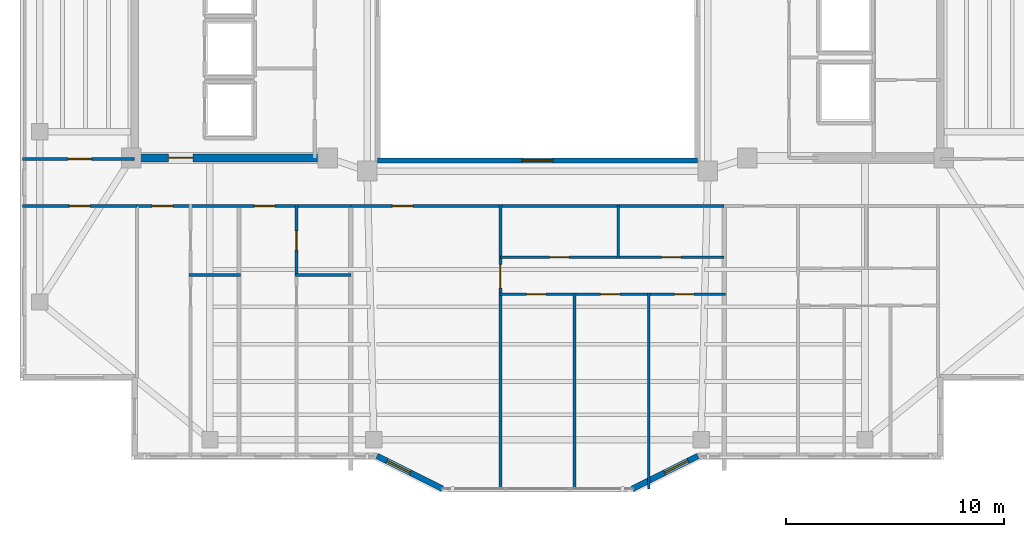
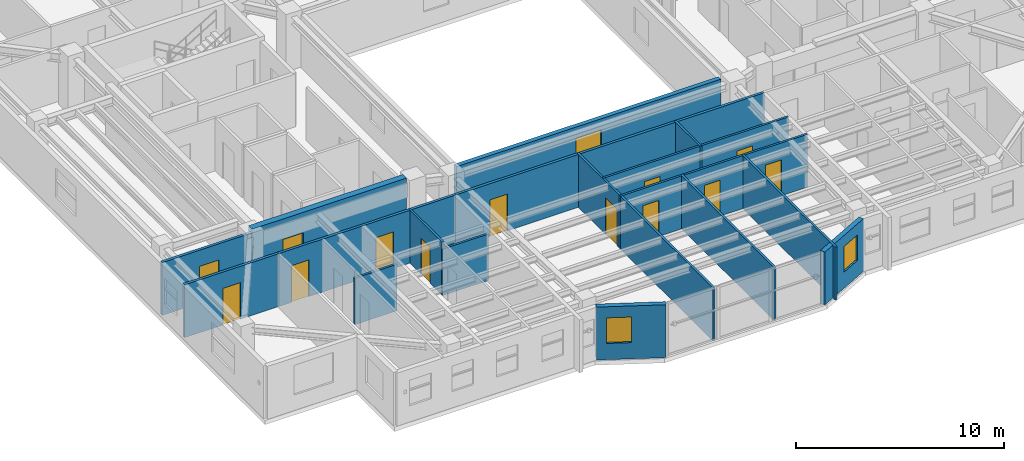
# One storey, part 6 of 14: 18 walls, 13 doors, 3 windows, 16 openings.
"""IFC4 building model written with IfcOpenShell, lengths in metres."""

from ifc_helpers import new_model, si_unit, direction, frame, frame_2d, origin, place, context, subcontext, project, spatial, rectangle, extrude, material, layer, layer_set, type_object, element, fill, save


model = new_model("IFC4")

# Units and contexts
model_context = context("Model", 3, precision=1e-05, world=origin(), true_north=direction((0.0, 1.0)))
body_context = subcontext(model_context, "Body", "Model", "MODEL_VIEW")
ifc_project = project(units=[si_unit("LENGTHUNIT", "METRE"), si_unit("AREAUNIT", "SQUARE_METRE"), si_unit("VOLUMEUNIT", "CUBIC_METRE"), si_unit("PLANEANGLEUNIT", "RADIAN"), si_unit("MASSUNIT", "GRAM", prefix="KILO")], contexts=[model_context])

# Site, building, storey
site_placement = place(None, origin())
site = spatial("IfcSite", under=ifc_project, at=site_placement, CompositionType="ELEMENT")
building_placement = place(site_placement, origin())
building = spatial("IfcBuilding", under=site, at=building_placement, Name="Tarnavaz Court Tower", CompositionType="ELEMENT")
storey_placement = place(building_placement, frame((0.0, 0.0, 190.25)))
storey = spatial("IfcBuildingStorey", under=building, at=storey_placement, Name="L51", CompositionType="ELEMENT", Elevation=190.25)

# Wall, opening, door
ifc_material_1 = material(Name="Concrete C50/60", Category="concrete")
ifc_layer_1 = layer(ifc_material_1, 0.35009765625)
ifc_layer_set_1 = layer_set([ifc_layer_1], Name="Concrete C50/60")
wall_type_1 = type_object("IfcWallType", Name="WL-CORE-350-C50", PredefinedType="SHEAR", material=ifc_layer_set_1)
wall_1_placement = place(storey_placement, frame((-18.625, -7.199951171875, 0.0), z_axis=(0.0, 0.0, 1.0), x_axis=(1.0, 0.0, 0.0)))
wall_1 = element("IfcWall", 1, at=wall_1_placement, inside=storey, type_object=wall_type_1, Name="L51 West Core South Shear Wall 046", PredefinedType="SHEAR", context=body_context, shape_type="SweptSolid", body=[
    extrude(rectangle(XDim=8.550048828125, YDim=0.35009765625, at=frame_2d((4.27490234375, 0.0))), origin(), (0.0, 0.0, 1.0), 3.35009765625),
])
opening_1_placement = place(wall_1_placement, frame((1.72509765625, 0.0, 0.0)))
opening_1 = element("IfcOpeningElement", 2, at=opening_1_placement, cuts=wall_1, Name="Opening D04", PredefinedType="OPENING", context=body_context, shape_type="SweptSolid", body=[
    extrude(rectangle(XDim=1.1201171875, YDim=2.14990234375, at=frame_2d((0.56005859375, 1.074951171875))), frame((0.0, 0.18505859375, 0.0), z_axis=(0.0, -1.0, 0.0), x_axis=(1.0, 0.0, 0.0)), (0.0, 0.0, 1.0), 0.3701171875),
])
ifc_material_2 = material(Name="Fire-Rated Hardwood Timber Core", Category="wood")
door_type_1 = type_object("IfcDoorType", Name="DR-FD60-1100", OperationType="NOTDEFINED", PredefinedType="DOOR", material=ifc_material_2)
door_1_placement = place(opening_1_placement, origin())
door_1 = element("IfcDoor", 3, at=door_1_placement, inside=storey, type_object=door_type_1, Name="L51 West High-Rise Lift Lobby Door", OperationType="SINGLE_SWING_LEFT", OverallHeight=2.14990234375, OverallWidth=1.1201171875, PredefinedType="DOOR", context=body_context, shape_type="SweptSolid", body=[
    extrude(rectangle(XDim=1.1201171875, YDim=2.14990234375, at=frame_2d((0.56005859375, 1.074951171875))), frame((0.0, 0.02490234375, 0.0), z_axis=(0.0, -1.0, 0.0), x_axis=(1.0, 0.0, 0.0)), (0.0, 0.0, 1.0), 0.050048828125),
])
fill(opening_1, door_1)

# Wall, opening, window
ifc_material_3 = material(Name="Precast Concrete C40/50", Category="concrete")
ifc_layer_2 = layer(ifc_material_3, 0.260009765625)
ifc_layer_set_2 = layer_set([ifc_layer_2], Name="Precast Concrete C40/50")
wall_type_2 = type_object("IfcWallType", Name="WL-EXT-260", PredefinedType="SOLIDWALL", material=ifc_layer_set_2)
wall_2_placement = place(storey_placement, frame((7.35009765625, -20.85009765625, 0.0), z_axis=(0.0, 0.0, 1.0), x_axis=(-0.894427191, -0.4472135955, 0.0)))
wall_2 = element("IfcWall", 4, at=wall_2_placement, inside=storey, type_object=wall_type_2, Name="L51 Exterior Terracotta Facade Wall 16", PredefinedType="SOLIDWALL", context=body_context, shape_type="SweptSolid", body=[
    extrude(rectangle(XDim=3.35400390625, YDim=0.260009765625, at=frame_2d((1.677001953125, 0.0))), origin(), (0.0, 0.0, 1.0), 3.10009765625),
])
opening_2_placement = place(wall_2_placement, frame((0.501220703125, 0.0, 0.949951171875)))
opening_2 = element("IfcOpeningElement", 5, at=opening_2_placement, cuts=wall_2, Name="Opening W05", PredefinedType="OPENING", context=body_context, shape_type="SweptSolid", body=[
    extrude(rectangle(XDim=1.199951171875, YDim=1.5, at=frame_2d((0.60009765625, 0.75))), frame((0.0, 0.139892578125, 0.0), z_axis=(0.0, -1.0, 0.0), x_axis=(1.0, 0.0, 0.0)), (0.0, 0.0, 1.0), 0.280029296875),
])
ifc_material_4 = material(Name="Double-Glazed Solar Low-E Glass", Category="glass")
window_type_1 = type_object("IfcWindowType", Name="WN-APT-1200", PartitioningType="SINGLE_PANEL", PredefinedType="WINDOW", material=ifc_material_4)
window_1_placement = place(opening_2_placement, origin())
window_1 = element("IfcWindow", 6, at=window_1_placement, inside=storey, type_object=window_type_1, Name="L51 Flat 04 Bedroom 3 Window", OverallHeight=1.5, OverallWidth=1.199951171875, PartitioningType="SINGLE_PANEL", PredefinedType="WINDOW", context=body_context, shape_type="SweptSolid", body=[
    extrude(rectangle(XDim=1.199951171875, YDim=1.5, at=frame_2d((0.60009765625, 0.75))), frame((0.0, 0.030029296875, 0.0), z_axis=(0.0, -1.0, 0.0), x_axis=(1.0, 0.0, 0.0)), (0.0, 0.0, 1.0), 0.06005859375),
])
fill(opening_2, window_1)

wall_3_placement = place(storey_placement, frame((-4.35009765625, -22.35009765625, 0.0), z_axis=(0.0, 0.0, 1.0), x_axis=(-0.894427191, 0.4472135955, 0.0)))
wall_3 = element("IfcWall", 7, at=wall_3_placement, inside=storey, type_object=wall_type_2, Name="L51 Exterior Terracotta Facade Wall 18", PredefinedType="SOLIDWALL", context=body_context, shape_type="SweptSolid", body=[
    extrude(rectangle(XDim=3.35400390625, YDim=0.260009765625, at=frame_2d((1.677001953125, 0.0))), origin(), (0.0, 0.0, 1.0), 3.10009765625),
])
opening_3_placement = place(wall_3_placement, frame((1.65283203125, 0.0, 0.949951171875)))
opening_3 = element("IfcOpeningElement", 8, at=opening_3_placement, cuts=wall_3, Name="Opening W05", PredefinedType="OPENING", context=body_context, shape_type="SweptSolid", body=[
    extrude(rectangle(XDim=1.199951171875, YDim=1.5, at=frame_2d((0.60009765625, 0.75))), frame((0.0, 0.139892578125, 0.0), z_axis=(0.0, -1.0, 0.0), x_axis=(1.0, 0.0, 0.0)), (0.0, 0.0, 1.0), 0.280029296875),
])
window_2_placement = place(opening_3_placement, origin())
window_2 = element("IfcWindow", 9, at=window_2_placement, inside=storey, type_object=window_type_1, Name="L51 Flat 04 Living and Dining Room Window", OverallHeight=1.5, OverallWidth=1.199951171875, PartitioningType="SINGLE_PANEL", PredefinedType="WINDOW", context=body_context, shape_type="SweptSolid", body=[
    extrude(rectangle(XDim=1.199951171875, YDim=1.5, at=frame_2d((0.60009765625, 0.75))), frame((0.0, 0.030029296875, 0.0), z_axis=(0.0, -1.0, 0.0), x_axis=(1.0, 0.0, 0.0)), (0.0, 0.0, 1.0), 0.06005859375),
])
fill(opening_3, window_2)

# Wall, openings, doors
ifc_material_5 = material(Name="Gypsum Fire-Board on Acoustic Metal Stud", Category="masonry")
ifc_layer_3 = layer(ifc_material_5, 0.14990234375)
ifc_layer_set_3 = layer_set([ifc_layer_3], Name="Gypsum Fire-Board on Acoustic Metal Stud")
wall_type_3 = type_object("IfcWallType", Name="WL-FIRE-150", PredefinedType="PARTITIONING", material=ifc_layer_set_3)
wall_4_placement = place(storey_placement, frame((-18.35009765625, -9.39990234375, 0.0), z_axis=(0.0, 0.0, 1.0), x_axis=(1.0, 0.0, 0.0)))
wall_4 = element("IfcWall", 10, at=wall_4_placement, inside=storey, type_object=wall_type_3, Name="L51 SW Lobby Wall 062", PredefinedType="PARTITIONING", context=body_context, shape_type="SweptSolid", body=[
    extrude(rectangle(XDim=9.800048828125, YDim=0.14990234375, at=frame_2d((4.89990234375, 0.0))), origin(), (0.0, 0.0, 1.0), 3.10009765625),
])
opening_4_placement = place(wall_4_placement, frame((0.699951171875, 0.0, 0.0)))
opening_4 = element("IfcOpeningElement", 11, at=opening_4_placement, cuts=wall_4, Name="Opening D06", PredefinedType="OPENING", context=body_context, shape_type="SweptSolid", body=[
    extrude(rectangle(XDim=0.9599609375, YDim=2.14990234375, at=frame_2d((0.47998046875, 1.074951171875))), frame((0.0, 0.0849609375, 0.0), z_axis=(0.0, -1.0, 0.0), x_axis=(1.0, 0.0, 0.0)), (0.0, 0.0, 1.0), 0.169921875),
])
opening_5_placement = place(wall_4_placement, frame((5.3798828125, 0.0, 0.0)))
opening_5 = element("IfcOpeningElement", 12, at=opening_5_placement, cuts=wall_4, Name="Opening D06", PredefinedType="OPENING", context=body_context, shape_type="SweptSolid", body=[
    extrude(rectangle(XDim=0.9599609375, YDim=2.14990234375, at=frame_2d((0.47998046875, 1.074951171875))), frame((0.0, 0.0849609375, 0.0), z_axis=(0.0, -1.0, 0.0), x_axis=(1.0, 0.0, 0.0)), (0.0, 0.0, 1.0), 0.169921875),
])
door_type_2 = type_object("IfcDoorType", Name="DR-FD60-950", OperationType="NOTDEFINED", PredefinedType="DOOR", material=ifc_material_2)
door_2_placement = place(opening_4_placement, origin())
door_2 = element("IfcDoor", 13, at=door_2_placement, inside=storey, type_object=door_type_2, Name="L51 Flat 01 Entrance Door", OperationType="SINGLE_SWING_RIGHT", OverallHeight=2.14990234375, OverallWidth=0.9599609375, PredefinedType="DOOR", context=body_context, shape_type="SweptSolid", body=[
    extrude(rectangle(XDim=0.9599609375, YDim=2.14990234375, at=frame_2d((0.47998046875, 1.074951171875))), frame((0.0, 0.02490234375, 0.0), z_axis=(0.0, -1.0, 0.0), x_axis=(1.0, 0.0, 0.0)), (0.0, 0.0, 1.0), 0.050048828125),
])
fill(opening_4, door_2)
door_3_placement = place(opening_5_placement, origin())
door_3 = element("IfcDoor", 14, at=door_3_placement, inside=storey, type_object=door_type_2, Name="L51 Flat 02 Entrance Door", OperationType="SINGLE_SWING_LEFT", OverallHeight=2.14990234375, OverallWidth=0.9599609375, PredefinedType="DOOR", context=body_context, shape_type="SweptSolid", body=[
    extrude(rectangle(XDim=0.9599609375, YDim=2.14990234375, at=frame_2d((0.47998046875, 1.074951171875))), frame((0.0, 0.02490234375, 0.0), z_axis=(0.0, -1.0, 0.0), x_axis=(1.0, 0.0, 0.0)), (0.0, 0.0, 1.0), 0.050048828125),
])
fill(opening_5, door_3)

# Wall, opening, door
wall_5_placement = place(storey_placement, frame((-8.550048828125, -9.39990234375, 0.0), z_axis=(0.0, 0.0, 1.0), x_axis=(1.0, 0.0, 0.0)))
wall_5 = element("IfcWall", 15, at=wall_5_placement, inside=storey, type_object=wall_type_3, Name="L51 Interior Partition 087", PredefinedType="PARTITIONING", context=body_context, shape_type="SweptSolid", body=[
    extrude(rectangle(XDim=17.10009765625, YDim=0.14990234375, at=frame_2d((8.550048828125, 0.0))), origin(), (0.0, 0.0, 1.0), 3.10009765625),
])
opening_6_placement = place(wall_5_placement, frame((1.89990234375, 0.0, 0.0)))
opening_6 = element("IfcOpeningElement", 16, at=opening_6_placement, cuts=wall_5, Name="Opening D06", PredefinedType="OPENING", context=body_context, shape_type="SweptSolid", body=[
    extrude(rectangle(XDim=0.9599609375, YDim=2.14990234375, at=frame_2d((0.47998046875, 1.074951171875))), frame((0.0, 0.0849609375, 0.0), z_axis=(0.0, -1.0, 0.0), x_axis=(1.0, 0.0, 0.0)), (0.0, 0.0, 1.0), 0.169921875),
])
door_4_placement = place(opening_6_placement, origin())
door_4 = element("IfcDoor", 17, at=door_4_placement, inside=storey, type_object=door_type_2, Name="L51 Flat 04 Entrance Door", OperationType="SINGLE_SWING_LEFT", OverallHeight=2.14990234375, OverallWidth=0.9599609375, PredefinedType="DOOR", context=body_context, shape_type="SweptSolid", body=[
    extrude(rectangle(XDim=0.9599609375, YDim=2.14990234375, at=frame_2d((0.47998046875, 1.074951171875))), frame((0.0, 0.02490234375, 0.0), z_axis=(0.0, -1.0, 0.0), x_axis=(1.0, 0.0, 0.0)), (0.0, 0.0, 1.0), 0.050048828125),
])
fill(opening_6, door_4)

wall_6_placement = place(storey_placement, frame((-23.580078125, -7.25, 0.0), z_axis=(0.0, 0.0, 1.0), x_axis=(1.0, 0.0, 0.0)))
wall_6 = element("IfcWall", 18, at=wall_6_placement, inside=storey, type_object=wall_type_3, Name="L51 Interior Partition 095", PredefinedType="PARTITIONING", context=body_context, shape_type="SweptSolid", body=[
    extrude(rectangle(XDim=5.130126953125, YDim=0.14990234375, at=frame_2d((2.56494140625, 0.0))), origin(), (0.0, 0.0, 1.0), 3.10009765625),
])
opening_7_placement = place(wall_6_placement, frame((2.080078125, 0.0, 0.0)))
opening_7 = element("IfcOpeningElement", 19, at=opening_7_placement, cuts=wall_6, Name="Opening D12", PredefinedType="OPENING", context=body_context, shape_type="SweptSolid", body=[
    extrude(rectangle(XDim=1.080078125, YDim=2.14990234375, at=frame_2d((0.5400390625, 1.074951171875))), frame((0.0, 0.0849609375, 0.0), z_axis=(0.0, -1.0, 0.0), x_axis=(1.0, 0.0, 0.0)), (0.0, 0.0, 1.0), 0.169921875),
])
ifc_material_6 = material(Name="Engineered Oak Timber", Category="wood")
door_type_3 = type_object("IfcDoorType", Name="DR-INT-1100", OperationType="NOTDEFINED", PredefinedType="DOOR", material=ifc_material_6)
door_5_placement = place(opening_7_placement, origin())
door_5 = element("IfcDoor", 20, at=door_5_placement, inside=storey, type_object=door_type_3, Name="L51 West Meeting Lounge Door", OperationType="SINGLE_SWING_RIGHT", OverallHeight=2.14990234375, OverallWidth=1.080078125, PredefinedType="DOOR", context=body_context, shape_type="SweptSolid", body=[
    extrude(rectangle(XDim=1.080078125, YDim=2.14990234375, at=frame_2d((0.5400390625, 1.074951171875))), frame((0.0, 0.02490234375, 0.0), z_axis=(0.0, -1.0, 0.0), x_axis=(1.0, 0.0, 0.0)), (0.0, 0.0, 1.0), 0.050048828125),
])
fill(opening_7, door_5)

wall_7_placement = place(storey_placement, frame((-23.580078125, -9.39990234375, 0.0), z_axis=(0.0, 0.0, 1.0), x_axis=(1.0, 0.0, 0.0)))
wall_7 = element("IfcWall", 21, at=wall_7_placement, inside=storey, type_object=wall_type_3, Name="L51 Interior Partition 105", PredefinedType="PARTITIONING", context=body_context, shape_type="SweptSolid", body=[
    extrude(rectangle(XDim=5.22998046875, YDim=0.14990234375, at=frame_2d((2.614990234375, 0.0))), origin(), (0.0, 0.0, 1.0), 3.10009765625),
])
opening_8_placement = place(wall_7_placement, frame((2.139892578125, 0.0, 0.0)))
opening_8 = element("IfcOpeningElement", 22, at=opening_8_placement, cuts=wall_7, Name="Opening D13", PredefinedType="OPENING", context=body_context, shape_type="SweptSolid", body=[
    extrude(rectangle(XDim=0.949951171875, YDim=2.14990234375, at=frame_2d((0.47509765625, 1.074951171875))), frame((0.0, 0.0849609375, 0.0), z_axis=(0.0, -1.0, 0.0), x_axis=(1.0, 0.0, 0.0)), (0.0, 0.0, 1.0), 0.169921875),
])
door_type_4 = type_object("IfcDoorType", Name="DR-INT-950", OperationType="NOTDEFINED", PredefinedType="DOOR", material=ifc_material_6)
door_6_placement = place(opening_8_placement, origin())
door_6 = element("IfcDoor", 23, at=door_6_placement, inside=storey, type_object=door_type_4, Name="L51 SW Reading Room Door", OperationType="SINGLE_SWING_RIGHT", OverallHeight=2.14990234375, OverallWidth=0.949951171875, PredefinedType="DOOR", context=body_context, shape_type="SweptSolid", body=[
    extrude(rectangle(XDim=0.949951171875, YDim=2.14990234375, at=frame_2d((0.47509765625, 1.074951171875))), frame((0.0, 0.02490234375, 0.0), z_axis=(0.0, -1.0, 0.0), x_axis=(1.0, 0.0, 0.0)), (0.0, 0.0, 1.0), 0.050048828125),
])
fill(opening_8, door_6)

# Wall
ifc_material_7 = material(Name="Moisture-Resistant Gypsum Board Partition", Category="masonry")
ifc_layer_4 = layer(ifc_material_7, 0.1201171875)
ifc_layer_set_4 = layer_set([ifc_layer_4], Name="Moisture-Resistant Gypsum Board Partition")
wall_type_4 = type_object("IfcWallType", Name="WL-PART-120", PredefinedType="PARTITIONING", material=ifc_layer_set_4)
wall_8_placement = place(storey_placement, frame((-15.949951171875, -12.56005859375, 0.0), z_axis=(0.0, 0.0, 1.0), x_axis=(1.0, 0.0, 0.0)))
element("IfcWall", 24, at=wall_8_placement, inside=storey, type_object=wall_type_4, Name="L51 Interior Partition 074", PredefinedType="PARTITIONING", context=body_context, shape_type="SweptSolid", body=[
    extrude(rectangle(XDim=2.33984375, YDim=0.1201171875, at=frame_2d((1.169921875, 0.0))), origin(), (0.0, 0.0, 1.0), 2.72509765625),
])

# Wall, opening, door
wall_9_placement = place(storey_placement, frame((-11.035888671875, -12.56005859375, 0.0), z_axis=(0.0, 0.0, 1.0), x_axis=(0.0, 1.0, 0.0)))
wall_9 = element("IfcWall", 25, at=wall_9_placement, inside=storey, type_object=wall_type_4, Name="L51 Interior Partition 076", PredefinedType="PARTITIONING", context=body_context, shape_type="SweptSolid", body=[
    extrude(rectangle(XDim=3.219970703125, YDim=0.1201171875, at=frame_2d((1.60986328125, 0.0))), origin(), (0.0, 0.0, 1.0), 3.10009765625),
])
opening_9_placement = place(wall_9_placement, frame((1.139892578125, 0.0, 0.0)))
opening_9 = element("IfcOpeningElement", 26, at=opening_9_placement, cuts=wall_9, Name="Opening D14", PredefinedType="OPENING", context=body_context, shape_type="SweptSolid", body=[
    extrude(rectangle(XDim=0.8798828125, YDim=2.10009765625, at=frame_2d((0.43994140625, 1.050048828125))), frame((0.0, 0.070068359375, 0.0), z_axis=(0.0, -1.0, 0.0), x_axis=(1.0, 0.0, 0.0)), (0.0, 0.0, 1.0), 0.14013671875),
])
door_type_5 = type_object("IfcDoorType", Name="DR-INT-900", OperationType="NOTDEFINED", PredefinedType="DOOR", material=ifc_material_6)
door_7_placement = place(opening_9_placement, origin())
door_7 = element("IfcDoor", 27, at=door_7_placement, inside=storey, type_object=door_type_5, Name="L51 Flat 02 Bathroom Door", OperationType="SINGLE_SWING_LEFT", OverallHeight=2.10009765625, OverallWidth=0.8798828125, PredefinedType="DOOR", context=body_context, shape_type="SweptSolid", body=[
    extrude(rectangle(XDim=0.8798828125, YDim=2.10009765625, at=frame_2d((0.43994140625, 1.050048828125))), frame((0.0, 0.02490234375, 0.0), z_axis=(0.0, -1.0, 0.0), x_axis=(1.0, 0.0, 0.0)), (0.0, 0.0, 1.0), 0.050048828125),
])
fill(opening_9, door_7)

# Wall
wall_10_placement = place(storey_placement, frame((-11.095947265625, -12.56005859375, 0.0), z_axis=(0.0, 0.0, 1.0), x_axis=(1.0, 0.0, 0.0)))
element("IfcWall", 28, at=wall_10_placement, inside=storey, type_object=wall_type_4, Name="L51 Interior Partition 077", PredefinedType="PARTITIONING", context=body_context, shape_type="SweptSolid", body=[
    extrude(rectangle(XDim=2.555908203125, YDim=0.1201171875, at=frame_2d((1.27783203125, 0.0))), origin(), (0.0, 0.0, 1.0), 2.72509765625),
])

# Wall, opening, door
wall_11_placement = place(storey_placement, frame((-1.696044921875, -22.3798828125, 0.0), z_axis=(0.0, 0.0, 1.0), x_axis=(0.0, 1.0, 0.0)))
wall_11 = element("IfcWall", 29, at=wall_11_placement, inside=storey, type_object=wall_type_4, Name="L51 Interior Partition 088", PredefinedType="PARTITIONING", context=body_context, shape_type="SweptSolid", body=[
    extrude(rectangle(XDim=13.039794921875, YDim=0.1201171875, at=frame_2d((6.52001953125, 0.0))), origin(), (0.0, 0.0, 1.0), 3.10009765625),
])
opening_10_placement = place(wall_11_placement, frame((9.215087890625, 0.0, 0.0)))
opening_10 = element("IfcOpeningElement", 30, at=opening_10_placement, cuts=wall_11, Name="Opening D12", PredefinedType="OPENING", context=body_context, shape_type="SweptSolid", body=[
    extrude(rectangle(XDim=1.080078125, YDim=2.14990234375, at=frame_2d((0.5400390625, 1.074951171875))), frame((0.0, 0.070068359375, 0.0), z_axis=(0.0, -1.0, 0.0), x_axis=(1.0, 0.0, 0.0)), (0.0, 0.0, 1.0), 0.14013671875),
])
door_8_placement = place(opening_10_placement, origin())
door_8 = element("IfcDoor", 31, at=door_8_placement, inside=storey, type_object=door_type_3, Name="L51 Flat 04 Foyer Door", OperationType="SINGLE_SWING_RIGHT", OverallHeight=2.14990234375, OverallWidth=1.080078125, PredefinedType="DOOR", context=body_context, shape_type="SweptSolid", body=[
    extrude(rectangle(XDim=1.080078125, YDim=2.14990234375, at=frame_2d((0.5400390625, 1.074951171875))), frame((0.0, 0.02490234375, 0.0), z_axis=(0.0, -1.0, 0.0), x_axis=(1.0, 0.0, 0.0)), (0.0, 0.0, 1.0), 0.050048828125),
])
fill(opening_10, door_8)

wall_12_placement = place(storey_placement, frame((-1.696044921875, -11.739990234375, 0.0), z_axis=(0.0, 0.0, 1.0), x_axis=(1.0, 0.0, 0.0)))
wall_12 = element("IfcWall", 32, at=wall_12_placement, inside=storey, type_object=wall_type_4, Name="L51 Interior Partition 089", PredefinedType="PARTITIONING", context=body_context, shape_type="SweptSolid", body=[
    extrude(rectangle(XDim=5.39306640625, YDim=0.1201171875, at=frame_2d((2.696533203125, 0.0))), origin(), (0.0, 0.0, 1.0), 3.10009765625),
])
opening_11_placement = place(wall_12_placement, frame((2.256103515625, 0.0, 0.0)))
opening_11 = element("IfcOpeningElement", 33, at=opening_11_placement, cuts=wall_12, Name="Opening D14", PredefinedType="OPENING", context=body_context, shape_type="SweptSolid", body=[
    extrude(rectangle(XDim=0.8798828125, YDim=2.10009765625, at=frame_2d((0.43994140625, 1.050048828125))), frame((0.0, 0.070068359375, 0.0), z_axis=(0.0, -1.0, 0.0), x_axis=(1.0, 0.0, 0.0)), (0.0, 0.0, 1.0), 0.14013671875),
])
door_9_placement = place(opening_11_placement, origin())
door_9 = element("IfcDoor", 34, at=door_9_placement, inside=storey, type_object=door_type_5, Name="L51 Flat 04 Kitchen Door", OperationType="SINGLE_SWING_LEFT", OverallHeight=2.10009765625, OverallWidth=0.8798828125, PredefinedType="DOOR", context=body_context, shape_type="SweptSolid", body=[
    extrude(rectangle(XDim=0.8798828125, YDim=2.10009765625, at=frame_2d((0.43994140625, 1.050048828125))), frame((0.0, 0.02490234375, 0.0), z_axis=(0.0, -1.0, 0.0), x_axis=(1.0, 0.0, 0.0)), (0.0, 0.0, 1.0), 0.050048828125),
])
fill(opening_11, door_9)

wall_13_placement = place(storey_placement, frame((3.697021484375, -11.739990234375, 0.0), z_axis=(0.0, 0.0, 1.0), x_axis=(1.0, 0.0, 0.0)))
wall_13 = element("IfcWall", 35, at=wall_13_placement, inside=storey, type_object=wall_type_4, Name="L51 Interior Partition 090", PredefinedType="PARTITIONING", context=body_context, shape_type="SweptSolid", body=[
    extrude(rectangle(XDim=4.85302734375, YDim=0.1201171875, at=frame_2d((2.426513671875, 0.0))), origin(), (0.0, 0.0, 1.0), 3.10009765625),
])
opening_12_placement = place(wall_13_placement, frame((1.987060546875, 0.0, 0.0)))
opening_12 = element("IfcOpeningElement", 36, at=opening_12_placement, cuts=wall_13, Name="Opening D14", PredefinedType="OPENING", context=body_context, shape_type="SweptSolid", body=[
    extrude(rectangle(XDim=0.8798828125, YDim=2.10009765625, at=frame_2d((0.43994140625, 1.050048828125))), frame((0.0, 0.070068359375, 0.0), z_axis=(0.0, -1.0, 0.0), x_axis=(1.0, 0.0, 0.0)), (0.0, 0.0, 1.0), 0.14013671875),
])
door_10_placement = place(opening_12_placement, origin())
door_10 = element("IfcDoor", 37, at=door_10_placement, inside=storey, type_object=door_type_5, Name="L51 Flat 04 Bathroom Door", OperationType="SINGLE_SWING_RIGHT", OverallHeight=2.10009765625, OverallWidth=0.8798828125, PredefinedType="DOOR", context=body_context, shape_type="SweptSolid", body=[
    extrude(rectangle(XDim=0.8798828125, YDim=2.10009765625, at=frame_2d((0.43994140625, 1.050048828125))), frame((0.0, 0.02490234375, 0.0), z_axis=(0.0, -1.0, 0.0), x_axis=(1.0, 0.0, 0.0)), (0.0, 0.0, 1.0), 0.050048828125),
])
fill(opening_12, door_10)

# Wall, openings, doors
wall_14_placement = place(storey_placement, frame((-1.756103515625, -13.449951171875, 0.0), z_axis=(0.0, 0.0, 1.0), x_axis=(1.0, 0.0, 0.0)))
wall_14 = element("IfcWall", 38, at=wall_14_placement, inside=storey, type_object=wall_type_4, Name="L51 Interior Partition 091", PredefinedType="PARTITIONING", context=body_context, shape_type="SweptSolid", body=[
    extrude(rectangle(XDim=10.3662109375, YDim=0.1201171875, at=frame_2d((5.18310546875, 0.0))), origin(), (0.0, 0.0, 1.0), 3.10009765625),
])
opening_13_placement = place(wall_14_placement, frame((1.256103515625, 0.0, 0.0)))
opening_13 = element("IfcOpeningElement", 39, at=opening_13_placement, cuts=wall_14, Name="Opening D14", PredefinedType="OPENING", context=body_context, shape_type="SweptSolid", body=[
    extrude(rectangle(XDim=0.8798828125, YDim=2.10009765625, at=frame_2d((0.43994140625, 1.050048828125))), frame((0.0, 0.070068359375, 0.0), z_axis=(0.0, -1.0, 0.0), x_axis=(1.0, 0.0, 0.0)), (0.0, 0.0, 1.0), 0.14013671875),
])
opening_14_placement = place(wall_14_placement, frame((4.64794921875, 0.0, 0.0)))
opening_14 = element("IfcOpeningElement", 40, at=opening_14_placement, cuts=wall_14, Name="Opening D14", PredefinedType="OPENING", context=body_context, shape_type="SweptSolid", body=[
    extrude(rectangle(XDim=0.8798828125, YDim=2.10009765625, at=frame_2d((0.43994140625, 1.050048828125))), frame((0.0, 0.070068359375, 0.0), z_axis=(0.0, -1.0, 0.0), x_axis=(1.0, 0.0, 0.0)), (0.0, 0.0, 1.0), 0.14013671875),
])
opening_15_placement = place(wall_14_placement, frame((8.0400390625, 0.0, 0.0)))
opening_15 = element("IfcOpeningElement", 41, at=opening_15_placement, cuts=wall_14, Name="Opening D14", PredefinedType="OPENING", context=body_context, shape_type="SweptSolid", body=[
    extrude(rectangle(XDim=0.8798828125, YDim=2.10009765625, at=frame_2d((0.43994140625, 1.050048828125))), frame((0.0, 0.070068359375, 0.0), z_axis=(0.0, -1.0, 0.0), x_axis=(1.0, 0.0, 0.0)), (0.0, 0.0, 1.0), 0.14013671875),
])
door_11_placement = place(opening_13_placement, origin())
door_11 = element("IfcDoor", 42, at=door_11_placement, inside=storey, type_object=door_type_5, Name="L51 Flat 04 Bedroom 1 Door", OperationType="SINGLE_SWING_LEFT", OverallHeight=2.10009765625, OverallWidth=0.8798828125, PredefinedType="DOOR", context=body_context, shape_type="SweptSolid", body=[
    extrude(rectangle(XDim=0.8798828125, YDim=2.10009765625, at=frame_2d((0.43994140625, 1.050048828125))), frame((0.0, 0.02490234375, 0.0), z_axis=(0.0, -1.0, 0.0), x_axis=(1.0, 0.0, 0.0)), (0.0, 0.0, 1.0), 0.050048828125),
])
fill(opening_13, door_11)
door_12_placement = place(opening_14_placement, origin())
door_12 = element("IfcDoor", 43, at=door_12_placement, inside=storey, type_object=door_type_5, Name="L51 Flat 04 Bedroom 2 Door", OperationType="SINGLE_SWING_RIGHT", OverallHeight=2.10009765625, OverallWidth=0.8798828125, PredefinedType="DOOR", context=body_context, shape_type="SweptSolid", body=[
    extrude(rectangle(XDim=0.8798828125, YDim=2.10009765625, at=frame_2d((0.43994140625, 1.050048828125))), frame((0.0, 0.02490234375, 0.0), z_axis=(0.0, -1.0, 0.0), x_axis=(1.0, 0.0, 0.0)), (0.0, 0.0, 1.0), 0.050048828125),
])
fill(opening_14, door_12)
door_13_placement = place(opening_15_placement, origin())
door_13 = element("IfcDoor", 44, at=door_13_placement, inside=storey, type_object=door_type_5, Name="L51 Flat 04 Bedroom 3 Door", OperationType="SINGLE_SWING_LEFT", OverallHeight=2.10009765625, OverallWidth=0.8798828125, PredefinedType="DOOR", context=body_context, shape_type="SweptSolid", body=[
    extrude(rectangle(XDim=0.8798828125, YDim=2.10009765625, at=frame_2d((0.43994140625, 1.050048828125))), frame((0.0, 0.02490234375, 0.0), z_axis=(0.0, -1.0, 0.0), x_axis=(1.0, 0.0, 0.0)), (0.0, 0.0, 1.0), 0.050048828125),
])
fill(opening_15, door_13)

# Walls
wall_15_placement = place(storey_placement, frame((3.697021484375, -11.800048828125, 0.0), z_axis=(0.0, 0.0, 1.0), x_axis=(0.0, 1.0, 0.0)))
element("IfcWall", 45, at=wall_15_placement, inside=storey, type_object=wall_type_4, Name="L51 Interior Partition 092", PredefinedType="PARTITIONING", context=body_context, shape_type="SweptSolid", body=[
    extrude(rectangle(XDim=2.4599609375, YDim=0.1201171875, at=frame_2d((1.22998046875, 0.0))), origin(), (0.0, 0.0, 1.0), 3.10009765625),
])
wall_16_placement = place(storey_placement, frame((1.696044921875, -22.3798828125, 0.0), z_axis=(0.0, 0.0, 1.0), x_axis=(0.0, 1.0, 0.0)))
element("IfcWall", 46, at=wall_16_placement, inside=storey, type_object=wall_type_4, Name="L51 Interior Partition 093", PredefinedType="PARTITIONING", context=body_context, shape_type="SweptSolid", body=[
    extrude(rectangle(XDim=8.989990234375, YDim=0.1201171875, at=frame_2d((4.4951171875, 0.0))), origin(), (0.0, 0.0, 1.0), 3.10009765625),
])
wall_17_placement = place(storey_placement, frame((5.087890625, -22.35791015625, 0.0), z_axis=(0.0, 0.0, 1.0), x_axis=(0.0, 1.0, 0.0)))
element("IfcWall", 47, at=wall_17_placement, inside=storey, type_object=wall_type_4, Name="L51 Interior Partition 094", PredefinedType="PARTITIONING", context=body_context, shape_type="SweptSolid", body=[
    extrude(rectangle(XDim=8.968017578125, YDim=0.1201171875, at=frame_2d((4.48388671875, 0.0))), origin(), (0.0, 0.0, 1.0), 3.10009765625),
])

# Wall, opening, window
ifc_layer_5 = layer(ifc_material_3, 0.239990234375)
ifc_layer_set_5 = layer_set([ifc_layer_5], Name="Precast Concrete C40/50")
wall_type_5 = type_object("IfcWallType", Name="WL-WELL-240", PredefinedType="SOLIDWALL", material=ifc_layer_set_5)
wall_18_placement = place(storey_placement, frame((-7.320068359375, -7.320068359375, 0.0), z_axis=(0.0, 0.0, 1.0), x_axis=(1.0, 0.0, 0.0)))
wall_18 = element("IfcWall", 48, at=wall_18_placement, inside=storey, type_object=wall_type_5, Name="L51 Badgir Light-Well Exterior Wall S", PredefinedType="SOLIDWALL", context=body_context, shape_type="SweptSolid", body=[
    extrude(rectangle(XDim=14.64013671875, YDim=0.239990234375, at=frame_2d((7.320068359375, 0.0))), origin(), (0.0, 0.0, 1.0), 3.10009765625),
])
opening_16_placement = place(wall_18_placement, frame((6.6201171875, 0.0, 0.949951171875)))
opening_16 = element("IfcOpeningElement", 49, at=opening_16_placement, cuts=wall_18, Name="Opening W13", PredefinedType="OPENING", context=body_context, shape_type="SweptSolid", body=[
    extrude(rectangle(XDim=1.39990234375, YDim=1.5, at=frame_2d((0.699951171875, 0.75))), frame((0.0, 0.1298828125, 0.0), z_axis=(0.0, -1.0, 0.0), x_axis=(1.0, 0.0, 0.0)), (0.0, 0.0, 1.0), 0.260009765625),
])
window_type_2 = type_object("IfcWindowType", Name="WN-WEL-1400", PartitioningType="SINGLE_PANEL", PredefinedType="WINDOW", material=ifc_material_4)
window_3_placement = place(opening_16_placement, origin())
window_3 = element("IfcWindow", 50, at=window_3_placement, inside=storey, type_object=window_type_2, Name="L51 Courtyard Gallery Window S", OverallHeight=1.5, OverallWidth=1.39990234375, PartitioningType="SINGLE_PANEL", PredefinedType="WINDOW", context=body_context, shape_type="SweptSolid", body=[
    extrude(rectangle(XDim=1.39990234375, YDim=1.5, at=frame_2d((0.699951171875, 0.75))), frame((0.0, 0.030029296875, 0.0), z_axis=(0.0, -1.0, 0.0), x_axis=(1.0, 0.0, 0.0)), (0.0, 0.0, 1.0), 0.06005859375),
])
fill(opening_16, window_3)

save(model, "model.ifc")
